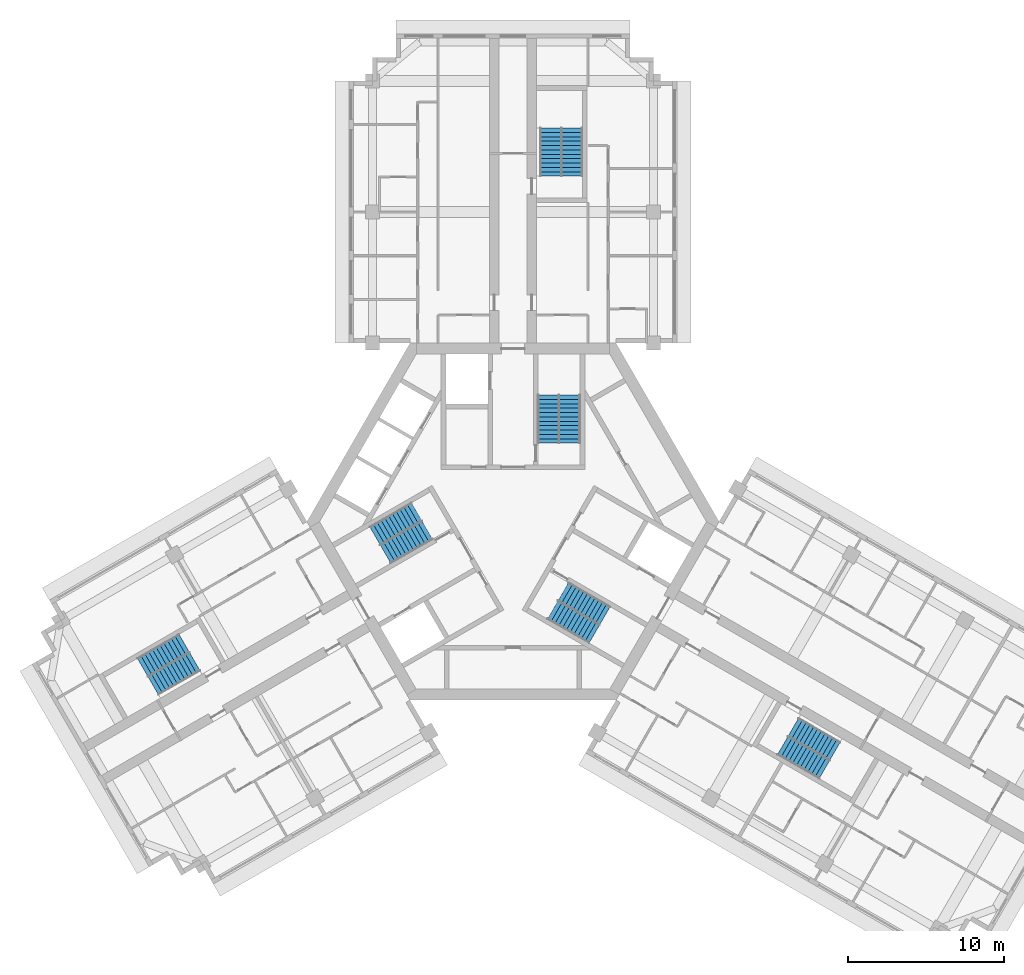
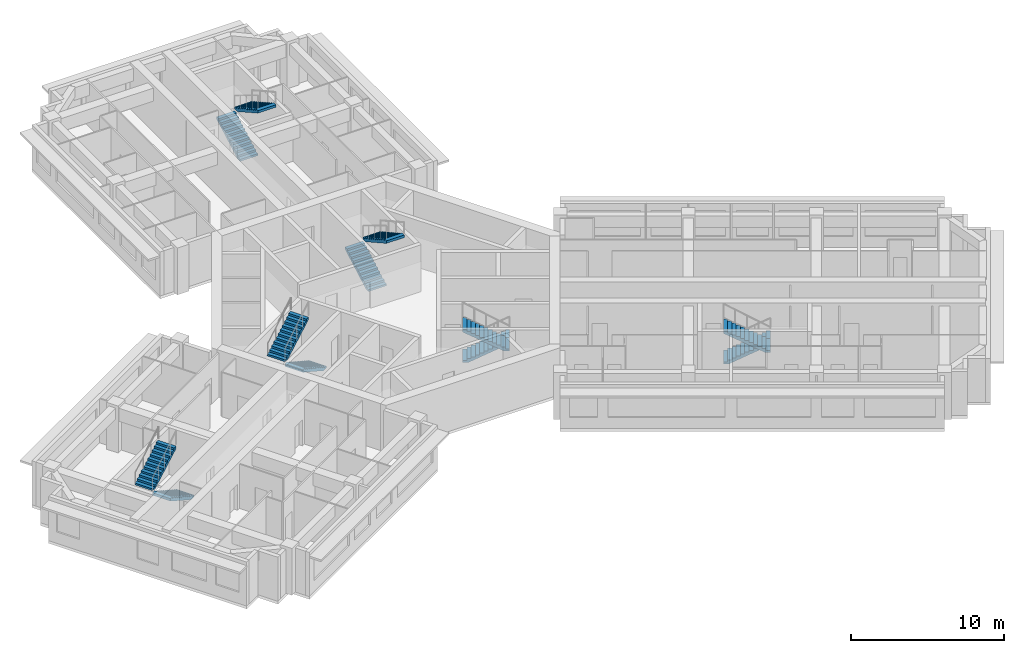
# One storey, part 9 of 10: 12 stair flights, 6 elements without a shape of their own.
"""IFC4 building model written with IfcOpenShell, lengths in metres."""

import ifcopenshell
import ifcopenshell.guid

model = None  # the IFC model being written
_history = None  # IfcOwnerHistory: only IFC2X3 demands one
_inside = {}  # id of a spatial element -> (the spatial element, [elements in it])
_under = {}  # id of a project, library or spatial element -> (it, [spatial elements below it])
_declared = {}  # id of a project -> (the project, [libraries it declares])
_typed = {}  # id of a type object -> (the type object, [elements of that type])
_made_of = {}  # id of a material, layer set ... -> (it, [elements and type objects made of it])


def new_model(schema):
    """Start an empty IFC model of exactly this schema.

    Asked for "IFC4X3", IfcOpenShell would pick the latest addendum, in which some entities
    have other attributes; the version numbers below select the first issue.
    IFC2X3 requires an IfcOwnerHistory on every rooted entity: one is made here for all.
    """
    global model, _history
    if schema == "IFC4X3":
        model = ifcopenshell.file(schema_version=(4, 3, 0, 0))
    else:
        model = ifcopenshell.file(schema=schema)
    _inside.clear()
    _under.clear()
    _declared.clear()
    _typed.clear()
    _made_of.clear()
    _history = None
    if model.schema == "IFC2X3":
        org = make("IfcOrganization", Name="unknown")
        user = make(
            "IfcPersonAndOrganization",
            ThePerson=make("IfcPerson", FamilyName="unknown"),
            TheOrganization=org,
        )
        app = make(
            "IfcApplication",
            ApplicationDeveloper=org,
            Version="unknown",
            ApplicationFullName="unknown",
            ApplicationIdentifier="unknown",
        )
        _history = make(
            "IfcOwnerHistory",
            OwningUser=user,
            OwningApplication=app,
            ChangeAction="ADDED",
            CreationDate=0,
        )
    return model


def make(cls, **values):
    """One entity of the class cls with the attributes given. An attribute that is None is left unset."""
    return model.create_entity(
        cls, **{name: value for name, value in values.items() if value is not None}
    )


def rooted(cls, **values):
    """An entity with a GlobalId (a new one), such as an element, a storey or a relation."""
    return make(cls, GlobalId=ifcopenshell.guid.new(), OwnerHistory=_history, **values)


def si_unit(unit_type, name, prefix=None):
    """IfcSIUnit, for example si_unit("LENGTHUNIT", "METRE", prefix="MILLI")."""
    return make("IfcSIUnit", UnitType=unit_type, Prefix=prefix, Name=name)


def assignment(units):
    """IfcUnitAssignment: the units of a project."""
    return None if units is None else make("IfcUnitAssignment", Units=units)


def point(xyz):
    """IfcCartesianPoint."""
    return None if xyz is None else make("IfcCartesianPoint", Coordinates=xyz)


def direction(xyz):
    """IfcDirection."""
    return None if xyz is None else make("IfcDirection", DirectionRatios=xyz)


def frame(location, z_axis=None, x_axis=None):
    """IfcAxis2Placement3D, a coordinate frame: its origin and axes. An axis left out is left unset."""
    return make(
        "IfcAxis2Placement3D",
        Location=point(location),
        Axis=direction(z_axis),
        RefDirection=direction(x_axis),
    )


def origin():
    """The frame at (0, 0, 0) with its axes left unset."""
    return frame((0.0, 0.0, 0.0))


def place(relative_to, where):
    """IfcLocalPlacement: puts the frame where relative to a parent placement (None: the world)."""
    return make(
        "IfcLocalPlacement", PlacementRelTo=relative_to, RelativePlacement=where
    )


def context(
    kind, dimensions, precision=None, world=None, true_north=None, identifier=None
):
    """IfcGeometricRepresentationContext, for example the 3D "Model" context."""
    return make(
        "IfcGeometricRepresentationContext",
        ContextIdentifier=identifier,
        ContextType=kind,
        CoordinateSpaceDimension=dimensions,
        Precision=precision,
        WorldCoordinateSystem=world,
        TrueNorth=true_north,
    )


def subcontext(parent, identifier, kind, view, scale=None):
    """IfcGeometricRepresentationSubContext, for example "Body" below "Model"."""
    return make(
        "IfcGeometricRepresentationSubContext",
        ContextIdentifier=identifier,
        ContextType=kind,
        ParentContext=parent,
        TargetScale=scale,
        TargetView=view,
    )


def project(units=None, contexts=None):
    """IfcProject with its units and contexts."""
    return rooted(
        "IfcProject",
        Name="project",
        RepresentationContexts=contexts,
        UnitsInContext=assignment(units),
    )


def spatial(cls, under=None, at=None, **own):
    """A site, building, storey or space (cls), placed at a placement, below another one or the project."""
    s = rooted(cls, ObjectPlacement=at, **own)
    if under is not None:
        _under.setdefault(under.id(), (under, []))[1].append(s)
    return s


def polyline(points):
    """IfcPolyline through the points."""
    return make("IfcPolyline", Points=[point(p) for p in points])


def outline(outer, holes=None, kind="AREA"):
    """IfcArbitraryClosedProfileDef: a profile drawn as a closed curve; with holes, ...WithVoids."""
    if holes is None:
        return make("IfcArbitraryClosedProfileDef", ProfileType=kind, OuterCurve=outer)
    return make(
        "IfcArbitraryProfileDefWithVoids",
        ProfileType=kind,
        OuterCurve=outer,
        InnerCurves=holes,
    )


def extrude(swept, where, along, depth):
    """IfcExtrudedAreaSolid: the profile swept, set in the frame where, extruded along a direction by depth."""
    return make(
        "IfcExtrudedAreaSolid",
        SweptArea=swept,
        Position=where,
        ExtrudedDirection=direction(along),
        Depth=depth,
    )


def shape(context_of_items, identifier, shape_type, items):
    """IfcShapeRepresentation: the items that make up one representation, for example the "Body"."""
    return make(
        "IfcShapeRepresentation",
        ContextOfItems=context_of_items,
        RepresentationIdentifier=identifier,
        RepresentationType=shape_type,
        Items=items,
    )


def material(Name=None, Category=None):
    """IfcMaterial."""
    return make("IfcMaterial", Name=Name, Category=Category)


def made_of(thing, what):
    """Note that an element or type object is made of a material, layer set ...; save() writes the relation."""
    if what is not None:
        _made_of.setdefault(what.id(), (what, []))[1].append(thing)
    return thing


def type_object(cls, material=None, **own):
    """A type object (cls), such as IfcWallType, which elements share."""
    return made_of(rooted(cls, **own), material)


def element(
    cls,
    number,
    at=None,
    inside=None,
    cuts=None,
    type_object=None,
    material=None,
    context=None,
    identifier="Body",
    shape_type=None,
    held_by="IfcProductDefinitionShape",
    body=None,
    shapes=None,
    **own,
):
    """One element of the class cls, such as IfcWall. Its Tag is "e" and its number.

    at: its placement. inside: the storey or other place that contains it. cuts: it is an
    opening in that element (IfcRelVoidsElement). A single representation is given by context,
    identifier, shape_type and body (its items); several are given by shapes. held_by: the class
    of the entity that holds the representations. save() writes the other relations.
    """
    e = rooted(cls, Tag="e%d" % number, ObjectPlacement=at, **own)
    if body is not None:
        shapes = [shape(context, identifier, shape_type, body)]
    if shapes is not None:
        e.Representation = make(held_by, Representations=shapes)
    if inside is not None:
        _inside.setdefault(inside.id(), (inside, []))[1].append(e)
    if cuts is not None:
        rooted(
            "IfcRelVoidsElement", RelatingBuildingElement=cuts, RelatedOpeningElement=e
        )
    if type_object is not None:
        _typed.setdefault(type_object.id(), (type_object, []))[1].append(e)
    return made_of(e, material)


def aggregate(whole, parts):
    """IfcRelAggregates: a whole, such as a stair, and the parts it consists of."""
    return rooted("IfcRelAggregates", RelatingObject=whole, RelatedObjects=parts)


def save(model, path):
    """Write the relations noted so far, then the file.

    IfcRelAggregates (storeys below a building ...), IfcRelContainedInSpatialStructure (elements
    in a storey), IfcRelDefinesByType, IfcRelAssociatesMaterial and IfcRelDeclares: one each for
    every whole, place, type object, material and project.
    """
    for whole, parts in _under.values():
        aggregate(whole, parts)
    for where, things in _inside.values():
        rooted(
            "IfcRelContainedInSpatialStructure",
            RelatedElements=things,
            RelatingStructure=where,
        )
    for kind, things in _typed.values():
        rooted("IfcRelDefinesByType", RelatedObjects=things, RelatingType=kind)
    for what, things in _made_of.values():
        rooted("IfcRelAssociatesMaterial", RelatedObjects=things, RelatingMaterial=what)
    for by, libraries in _declared.values():
        rooted("IfcRelDeclares", RelatingContext=by, RelatedDefinitions=libraries)
    model.write(path)


model = new_model("IFC4")

# Units and contexts
model_context = context("Model", 3, precision=1e-05, world=origin(), true_north=direction((0.0, 1.0)))
body_context = subcontext(model_context, "Body", "Model", "MODEL_VIEW")
ifc_project = project(units=[si_unit("LENGTHUNIT", "METRE"), si_unit("AREAUNIT", "SQUARE_METRE"), si_unit("VOLUMEUNIT", "CUBIC_METRE"), si_unit("PLANEANGLEUNIT", "RADIAN"), si_unit("MASSUNIT", "GRAM", prefix="KILO")], contexts=[model_context])

# Site, building, storey
site_placement = place(None, origin())
site = spatial("IfcSite", under=ifc_project, at=site_placement, CompositionType="ELEMENT")
building_placement = place(site_placement, origin())
building = spatial("IfcBuilding", under=site, at=building_placement, Name="Impinga Residences", CompositionType="ELEMENT")
storey_placement = place(building_placement, frame((0.0, 0.0, 229.75)))
storey = spatial("IfcBuildingStorey", under=building, at=storey_placement, Name="L57", CompositionType="ELEMENT", Elevation=229.75)

# Stair, stair flights
ifc_material = material(Name="Concrete C40/50", Category="concrete")
stair_type_1 = type_object("IfcStairType", Name="STR core stair 3750 storey, 24 risers", PredefinedType="HALF_TURN_STAIR", material=ifc_material)
stair_1_placement = place(storey_placement, origin())
stair_1 = element("IfcStair", 1, at=stair_1_placement, inside=storey, type_object=stair_type_1, Name="Stair ST1 L57", PredefinedType="HALF_TURN_STAIR")
stair_flight_type = type_object("IfcStairFlightType", Name="SF 12 risers of 156", PredefinedType="STRAIGHT", material=ifc_material)
stair_flight_1_placement = place(storey_placement, frame((2.27490234375, 5.030029296875, 0.0), z_axis=(0.0, 0.0, 1.0), x_axis=(0.0, 1.0, 0.0)))
stair_flight_1 = element("IfcStairFlight", 2, at=stair_flight_1_placement, type_object=stair_flight_type, Name="ST1 flight 1", NumberOfRisers=12, NumberOfTreads=11, PredefinedType="STRAIGHT", RiserHeight=0.15625, TreadLength=0.28, context=body_context, shape_type="SweptSolid", body=[
    extrude(outline(polyline([(0.0, 0.0), (0.0, 0.15625), (0.280029296875, 0.15625), (0.280029296875, 0.3125), (0.56005859375, 0.3125), (0.56005859375, 0.46875), (0.840087890625, 0.46875), (0.840087890625, 0.625), (1.1201171875, 0.625), (1.1201171875, 0.78125), (1.39990234375, 0.78125), (1.39990234375, 0.9375), (1.679931640625, 0.9375), (1.679931640625, 1.09375), (1.9599609375, 1.09375), (1.9599609375, 1.25), (2.239990234375, 1.25), (2.239990234375, 1.40625), (2.52001953125, 1.40625), (2.52001953125, 1.5625), (2.800048828125, 1.5625), (2.800048828125, 1.71875), (3.080078125, 1.71875), (3.080078125, 1.875), (3.080078125, 1.5126953125), (0.369140625, 0.0), (0.0, 0.0)])), frame((0.0, 0.675048828125, 0.0), z_axis=(0.0, -1.0, 0.0), x_axis=(1.0, 0.0, 0.0)), (0.0, 0.0, 1.0), 1.35009765625),
])
stair_flight_2_placement = place(storey_placement, frame((3.625, 8.110107421875, 1.875), z_axis=(0.0, 0.0, 1.0), x_axis=(0.0, -1.0, 0.0)))
stair_flight_2 = element("IfcStairFlight", 3, at=stair_flight_2_placement, type_object=stair_flight_type, Name="ST1 flight 2", NumberOfRisers=12, NumberOfTreads=11, PredefinedType="STRAIGHT", RiserHeight=0.15625, TreadLength=0.28, context=body_context, shape_type="SweptSolid", body=[
    extrude(outline(polyline([(0.0, 0.0), (0.0, 0.15625), (0.280029296875, 0.15625), (0.280029296875, 0.3125), (0.56005859375, 0.3125), (0.56005859375, 0.46875), (0.840087890625, 0.46875), (0.840087890625, 0.625), (1.1201171875, 0.625), (1.1201171875, 0.78125), (1.39990234375, 0.78125), (1.39990234375, 0.9375), (1.679931640625, 0.9375), (1.679931640625, 1.09375), (1.9599609375, 1.09375), (1.9599609375, 1.25), (2.239990234375, 1.25), (2.239990234375, 1.40625), (2.52001953125, 1.40625), (2.52001953125, 1.5625), (2.800048828125, 1.5625), (2.800048828125, 1.71875), (3.080078125, 1.71875), (3.080078125, 1.875), (3.080078125, 1.5126953125), (0.369140625, 0.0), (0.0, 0.0)])), frame((0.0, 0.675048828125, 0.0), z_axis=(0.0, -1.0, 0.0), x_axis=(1.0, 0.0, 0.0)), (0.0, 0.0, 1.0), 1.35009765625),
])
aggregate(stair_1, [stair_flight_1, stair_flight_2])

stair_2_placement = place(storey_placement, origin())
stair_2 = element("IfcStair", 4, at=stair_2_placement, inside=storey, type_object=stair_type_1, Name="Stair ST2 L57", PredefinedType="HALF_TURN_STAIR")
stair_flight_3_placement = place(storey_placement, frame((-5.49365234375, -0.544677734375, 0.0), z_axis=(0.0, 0.0, 1.0), x_axis=(-0.866025403784, -0.5, 0.0)))
stair_flight_3 = element("IfcStairFlight", 5, at=stair_flight_3_placement, type_object=stair_flight_type, Name="ST2 flight 1", NumberOfRisers=12, NumberOfTreads=11, PredefinedType="STRAIGHT", RiserHeight=0.15625, TreadLength=0.28, context=body_context, shape_type="SweptSolid", body=[
    extrude(outline(polyline([(0.0, 0.0), (0.0, 0.15625), (0.280029296875, 0.15625), (0.280029296875, 0.3125), (0.56005859375, 0.3125), (0.56005859375, 0.46875), (0.840087890625, 0.46875), (0.840087890625, 0.625), (1.1201171875, 0.625), (1.1201171875, 0.78125), (1.39990234375, 0.78125), (1.39990234375, 0.9375), (1.679931640625, 0.9375), (1.679931640625, 1.09375), (1.9599609375, 1.09375), (1.9599609375, 1.25), (2.239990234375, 1.25), (2.239990234375, 1.40625), (2.52001953125, 1.40625), (2.52001953125, 1.5625), (2.800048828125, 1.5625), (2.800048828125, 1.71875), (3.080078125, 1.71875), (3.080078125, 1.875), (3.080078125, 1.5126953125), (0.369140625, 0.0), (0.0, 0.0)])), frame((0.0, 0.675048828125, 0.0), z_axis=(0.0, -1.0, 0.0), x_axis=(1.0, 0.0, 0.0)), (0.0, 0.0, 1.0), 1.35009765625),
])
stair_flight_4_placement = place(storey_placement, frame((-8.8359375, -0.915771484375, 1.875), z_axis=(0.0, 0.0, 1.0), x_axis=(0.866025403784, 0.5, 0.0)))
stair_flight_4 = element("IfcStairFlight", 6, at=stair_flight_4_placement, type_object=stair_flight_type, Name="ST2 flight 2", NumberOfRisers=12, NumberOfTreads=11, PredefinedType="STRAIGHT", RiserHeight=0.15625, TreadLength=0.28, context=body_context, shape_type="SweptSolid", body=[
    extrude(outline(polyline([(0.0, 0.0), (0.0, 0.15625), (0.280029296875, 0.15625), (0.280029296875, 0.3125), (0.56005859375, 0.3125), (0.56005859375, 0.46875), (0.840087890625, 0.46875), (0.840087890625, 0.625), (1.1201171875, 0.625), (1.1201171875, 0.78125), (1.39990234375, 0.78125), (1.39990234375, 0.9375), (1.679931640625, 0.9375), (1.679931640625, 1.09375), (1.9599609375, 1.09375), (1.9599609375, 1.25), (2.239990234375, 1.25), (2.239990234375, 1.40625), (2.52001953125, 1.40625), (2.52001953125, 1.5625), (2.800048828125, 1.5625), (2.800048828125, 1.71875), (3.080078125, 1.71875), (3.080078125, 1.875), (3.080078125, 1.5126953125), (0.369140625, 0.0), (0.0, 0.0)])), frame((0.0, 0.675048828125, 0.0), z_axis=(0.0, -1.0, 0.0), x_axis=(1.0, 0.0, 0.0)), (0.0, 0.0, 1.0), 1.35009765625),
])
aggregate(stair_2, [stair_flight_3, stair_flight_4])

stair_3_placement = place(storey_placement, origin())
stair_3 = element("IfcStair", 7, at=stair_3_placement, inside=storey, type_object=stair_type_1, Name="Stair ST3 L57", PredefinedType="HALF_TURN_STAIR")
stair_flight_5_placement = place(storey_placement, frame((3.218505859375, -4.485107421875, 0.0), z_axis=(0.0, 0.0, 1.0), x_axis=(0.866025403784, -0.5, 0.0)))
stair_flight_5 = element("IfcStairFlight", 8, at=stair_flight_5_placement, type_object=stair_flight_type, Name="ST3 flight 1", NumberOfRisers=12, NumberOfTreads=11, PredefinedType="STRAIGHT", RiserHeight=0.15625, TreadLength=0.28, context=body_context, shape_type="SweptSolid", body=[
    extrude(outline(polyline([(0.0, 0.0), (0.0, 0.15625), (0.280029296875, 0.15625), (0.280029296875, 0.3125), (0.56005859375, 0.3125), (0.56005859375, 0.46875), (0.840087890625, 0.46875), (0.840087890625, 0.625), (1.1201171875, 0.625), (1.1201171875, 0.78125), (1.39990234375, 0.78125), (1.39990234375, 0.9375), (1.679931640625, 0.9375), (1.679931640625, 1.09375), (1.9599609375, 1.09375), (1.9599609375, 1.25), (2.239990234375, 1.25), (2.239990234375, 1.40625), (2.52001953125, 1.40625), (2.52001953125, 1.5625), (2.800048828125, 1.5625), (2.800048828125, 1.71875), (3.080078125, 1.71875), (3.080078125, 1.875), (3.080078125, 1.5126953125), (0.369140625, 0.0), (0.0, 0.0)])), frame((0.0, 0.675048828125, 0.0), z_axis=(0.0, -1.0, 0.0), x_axis=(1.0, 0.0, 0.0)), (0.0, 0.0, 1.0), 1.35009765625),
])
stair_flight_6_placement = place(storey_placement, frame((5.2109375, -7.1943359375, 1.875), z_axis=(0.0, 0.0, 1.0), x_axis=(-0.866025403784, 0.5, 0.0)))
stair_flight_6 = element("IfcStairFlight", 9, at=stair_flight_6_placement, type_object=stair_flight_type, Name="ST3 flight 2", NumberOfRisers=12, NumberOfTreads=11, PredefinedType="STRAIGHT", RiserHeight=0.15625, TreadLength=0.28, context=body_context, shape_type="SweptSolid", body=[
    extrude(outline(polyline([(0.0, 0.0), (0.0, 0.15625), (0.280029296875, 0.15625), (0.280029296875, 0.3125), (0.56005859375, 0.3125), (0.56005859375, 0.46875), (0.840087890625, 0.46875), (0.840087890625, 0.625), (1.1201171875, 0.625), (1.1201171875, 0.78125), (1.39990234375, 0.78125), (1.39990234375, 0.9375), (1.679931640625, 0.9375), (1.679931640625, 1.09375), (1.9599609375, 1.09375), (1.9599609375, 1.25), (2.239990234375, 1.25), (2.239990234375, 1.40625), (2.52001953125, 1.40625), (2.52001953125, 1.5625), (2.800048828125, 1.5625), (2.800048828125, 1.71875), (3.080078125, 1.71875), (3.080078125, 1.875), (3.080078125, 1.5126953125), (0.369140625, 0.0), (0.0, 0.0)])), frame((0.0, 0.675048828125, 0.0), z_axis=(0.0, -1.0, 0.0), x_axis=(1.0, 0.0, 0.0)), (0.0, 0.0, 1.0), 1.35009765625),
])
aggregate(stair_3, [stair_flight_5, stair_flight_6])

stair_type_2 = type_object("IfcStairType", Name="STR wing stair 3750 storey, 24 risers", PredefinedType="HALF_TURN_STAIR", material=ifc_material)
stair_4_placement = place(storey_placement, origin())
stair_4 = element("IfcStair", 10, at=stair_4_placement, inside=storey, type_object=stair_type_2, Name="Stair WS1 L57", PredefinedType="HALF_TURN_STAIR")
stair_flight_7_placement = place(storey_placement, frame((2.425048828125, 22.131591796875, 0.0), z_axis=(0.0, 0.0, 1.0), x_axis=(0.0, 1.0, 0.0)))
stair_flight_7 = element("IfcStairFlight", 11, at=stair_flight_7_placement, type_object=stair_flight_type, Name="WS1 flight 1", NumberOfRisers=12, NumberOfTreads=11, PredefinedType="STRAIGHT", RiserHeight=0.15625, TreadLength=0.28, context=body_context, shape_type="SweptSolid", body=[
    extrude(outline(polyline([(0.0, 0.0), (0.0, 0.15625), (0.280029296875, 0.15625), (0.280029296875, 0.3125), (0.56005859375, 0.3125), (0.56005859375, 0.46875), (0.840087890625, 0.46875), (0.840087890625, 0.625), (1.1201171875, 0.625), (1.1201171875, 0.78125), (1.39990234375, 0.78125), (1.39990234375, 0.9375), (1.679931640625, 0.9375), (1.679931640625, 1.09375), (1.9599609375, 1.09375), (1.9599609375, 1.25), (2.239990234375, 1.25), (2.239990234375, 1.40625), (2.52001953125, 1.40625), (2.52001953125, 1.5625), (2.800048828125, 1.5625), (2.800048828125, 1.71875), (3.080078125, 1.71875), (3.080078125, 1.875), (3.080078125, 1.5126953125), (0.369140625, 0.0), (0.0, 0.0)])), frame((0.0, 0.675048828125, 0.0), z_axis=(0.0, -1.0, 0.0), x_axis=(1.0, 0.0, 0.0)), (0.0, 0.0, 1.0), 1.35009765625),
])
stair_flight_8_placement = place(storey_placement, frame((3.77490234375, 25.21142578125, 1.875), z_axis=(0.0, 0.0, 1.0), x_axis=(0.0, -1.0, 0.0)))
stair_flight_8 = element("IfcStairFlight", 12, at=stair_flight_8_placement, type_object=stair_flight_type, Name="WS1 flight 2", NumberOfRisers=12, NumberOfTreads=11, PredefinedType="STRAIGHT", RiserHeight=0.15625, TreadLength=0.28, context=body_context, shape_type="SweptSolid", body=[
    extrude(outline(polyline([(0.0, 0.0), (0.0, 0.15625), (0.280029296875, 0.15625), (0.280029296875, 0.3125), (0.56005859375, 0.3125), (0.56005859375, 0.46875), (0.840087890625, 0.46875), (0.840087890625, 0.625), (1.1201171875, 0.625), (1.1201171875, 0.78125), (1.39990234375, 0.78125), (1.39990234375, 0.9375), (1.679931640625, 0.9375), (1.679931640625, 1.09375), (1.9599609375, 1.09375), (1.9599609375, 1.25), (2.239990234375, 1.25), (2.239990234375, 1.40625), (2.52001953125, 1.40625), (2.52001953125, 1.5625), (2.800048828125, 1.5625), (2.800048828125, 1.71875), (3.080078125, 1.71875), (3.080078125, 1.875), (3.080078125, 1.5126953125), (0.369140625, 0.0), (0.0, 0.0)])), frame((0.0, 0.675048828125, 0.0), z_axis=(0.0, -1.0, 0.0), x_axis=(1.0, 0.0, 0.0)), (0.0, 0.0, 1.0), 1.35009765625),
])
aggregate(stair_4, [stair_flight_7, stair_flight_8])

stair_5_placement = place(storey_placement, origin())
stair_5 = element("IfcStair", 13, at=stair_5_placement, inside=storey, type_object=stair_type_2, Name="Stair WS2 L57", PredefinedType="HALF_TURN_STAIR")
stair_flight_9_placement = place(storey_placement, frame((-20.37890625, -8.965576171875, 0.0), z_axis=(0.0, 0.0, 1.0), x_axis=(-0.866025403784, -0.5, 0.0)))
stair_flight_9 = element("IfcStairFlight", 14, at=stair_flight_9_placement, type_object=stair_flight_type, Name="WS2 flight 1", NumberOfRisers=12, NumberOfTreads=11, PredefinedType="STRAIGHT", RiserHeight=0.15625, TreadLength=0.28, context=body_context, shape_type="SweptSolid", body=[
    extrude(outline(polyline([(0.0, 0.0), (0.0, 0.15625), (0.280029296875, 0.15625), (0.280029296875, 0.3125), (0.56005859375, 0.3125), (0.56005859375, 0.46875), (0.840087890625, 0.46875), (0.840087890625, 0.625), (1.1201171875, 0.625), (1.1201171875, 0.78125), (1.39990234375, 0.78125), (1.39990234375, 0.9375), (1.679931640625, 0.9375), (1.679931640625, 1.09375), (1.9599609375, 1.09375), (1.9599609375, 1.25), (2.239990234375, 1.25), (2.239990234375, 1.40625), (2.52001953125, 1.40625), (2.52001953125, 1.5625), (2.800048828125, 1.5625), (2.800048828125, 1.71875), (3.080078125, 1.71875), (3.080078125, 1.875), (3.080078125, 1.5126953125), (0.369140625, 0.0), (0.0, 0.0)])), frame((0.0, 0.675048828125, 0.0), z_axis=(0.0, -1.0, 0.0), x_axis=(1.0, 0.0, 0.0)), (0.0, 0.0, 1.0), 1.35009765625),
])
stair_flight_10_placement = place(storey_placement, frame((-23.721435546875, -9.33642578125, 1.875), z_axis=(0.0, 0.0, 1.0), x_axis=(0.866025403784, 0.5, 0.0)))
stair_flight_10 = element("IfcStairFlight", 15, at=stair_flight_10_placement, type_object=stair_flight_type, Name="WS2 flight 2", NumberOfRisers=12, NumberOfTreads=11, PredefinedType="STRAIGHT", RiserHeight=0.15625, TreadLength=0.28, context=body_context, shape_type="SweptSolid", body=[
    extrude(outline(polyline([(0.0, 0.0), (0.0, 0.15625), (0.280029296875, 0.15625), (0.280029296875, 0.3125), (0.56005859375, 0.3125), (0.56005859375, 0.46875), (0.840087890625, 0.46875), (0.840087890625, 0.625), (1.1201171875, 0.625), (1.1201171875, 0.78125), (1.39990234375, 0.78125), (1.39990234375, 0.9375), (1.679931640625, 0.9375), (1.679931640625, 1.09375), (1.9599609375, 1.09375), (1.9599609375, 1.25), (2.239990234375, 1.25), (2.239990234375, 1.40625), (2.52001953125, 1.40625), (2.52001953125, 1.5625), (2.800048828125, 1.5625), (2.800048828125, 1.71875), (3.080078125, 1.71875), (3.080078125, 1.875), (3.080078125, 1.5126953125), (0.369140625, 0.0), (0.0, 0.0)])), frame((0.0, 0.675048828125, 0.0), z_axis=(0.0, -1.0, 0.0), x_axis=(1.0, 0.0, 0.0)), (0.0, 0.0, 1.0), 1.35009765625),
])
aggregate(stair_5, [stair_flight_9, stair_flight_10])

stair_6_placement = place(storey_placement, origin())
stair_6 = element("IfcStair", 16, at=stair_6_placement, inside=storey, type_object=stair_type_2, Name="Stair WS3 L57", PredefinedType="HALF_TURN_STAIR")
stair_flight_11_placement = place(storey_placement, frame((17.953857421875, -13.165771484375, 0.0), z_axis=(0.0, 0.0, 1.0), x_axis=(0.866025403784, -0.5, 0.0)))
stair_flight_11 = element("IfcStairFlight", 17, at=stair_flight_11_placement, type_object=stair_flight_type, Name="WS3 flight 1", NumberOfRisers=12, NumberOfTreads=11, PredefinedType="STRAIGHT", RiserHeight=0.15625, TreadLength=0.28, context=body_context, shape_type="SweptSolid", body=[
    extrude(outline(polyline([(0.0, 0.0), (0.0, 0.15625), (0.280029296875, 0.15625), (0.280029296875, 0.3125), (0.56005859375, 0.3125), (0.56005859375, 0.46875), (0.840087890625, 0.46875), (0.840087890625, 0.625), (1.1201171875, 0.625), (1.1201171875, 0.78125), (1.39990234375, 0.78125), (1.39990234375, 0.9375), (1.679931640625, 0.9375), (1.679931640625, 1.09375), (1.9599609375, 1.09375), (1.9599609375, 1.25), (2.239990234375, 1.25), (2.239990234375, 1.40625), (2.52001953125, 1.40625), (2.52001953125, 1.5625), (2.800048828125, 1.5625), (2.800048828125, 1.71875), (3.080078125, 1.71875), (3.080078125, 1.875), (3.080078125, 1.5126953125), (0.369140625, 0.0), (0.0, 0.0)])), frame((0.0, 0.675048828125, 0.0), z_axis=(0.0, -1.0, 0.0), x_axis=(1.0, 0.0, 0.0)), (0.0, 0.0, 1.0), 1.35009765625),
])
stair_flight_12_placement = place(storey_placement, frame((19.9462890625, -15.875, 1.875), z_axis=(0.0, 0.0, 1.0), x_axis=(-0.866025403784, 0.5, 0.0)))
stair_flight_12 = element("IfcStairFlight", 18, at=stair_flight_12_placement, type_object=stair_flight_type, Name="WS3 flight 2", NumberOfRisers=12, NumberOfTreads=11, PredefinedType="STRAIGHT", RiserHeight=0.15625, TreadLength=0.28, context=body_context, shape_type="SweptSolid", body=[
    extrude(outline(polyline([(0.0, 0.0), (0.0, 0.15625), (0.280029296875, 0.15625), (0.280029296875, 0.3125), (0.56005859375, 0.3125), (0.56005859375, 0.46875), (0.840087890625, 0.46875), (0.840087890625, 0.625), (1.1201171875, 0.625), (1.1201171875, 0.78125), (1.39990234375, 0.78125), (1.39990234375, 0.9375), (1.679931640625, 0.9375), (1.679931640625, 1.09375), (1.9599609375, 1.09375), (1.9599609375, 1.25), (2.239990234375, 1.25), (2.239990234375, 1.40625), (2.52001953125, 1.40625), (2.52001953125, 1.5625), (2.800048828125, 1.5625), (2.800048828125, 1.71875), (3.080078125, 1.71875), (3.080078125, 1.875), (3.080078125, 1.5126953125), (0.369140625, 0.0), (0.0, 0.0)])), frame((0.0, 0.675048828125, 0.0), z_axis=(0.0, -1.0, 0.0), x_axis=(1.0, 0.0, 0.0)), (0.0, 0.0, 1.0), 1.35009765625),
])
aggregate(stair_6, [stair_flight_11, stair_flight_12])

save(model, "model.ifc")
